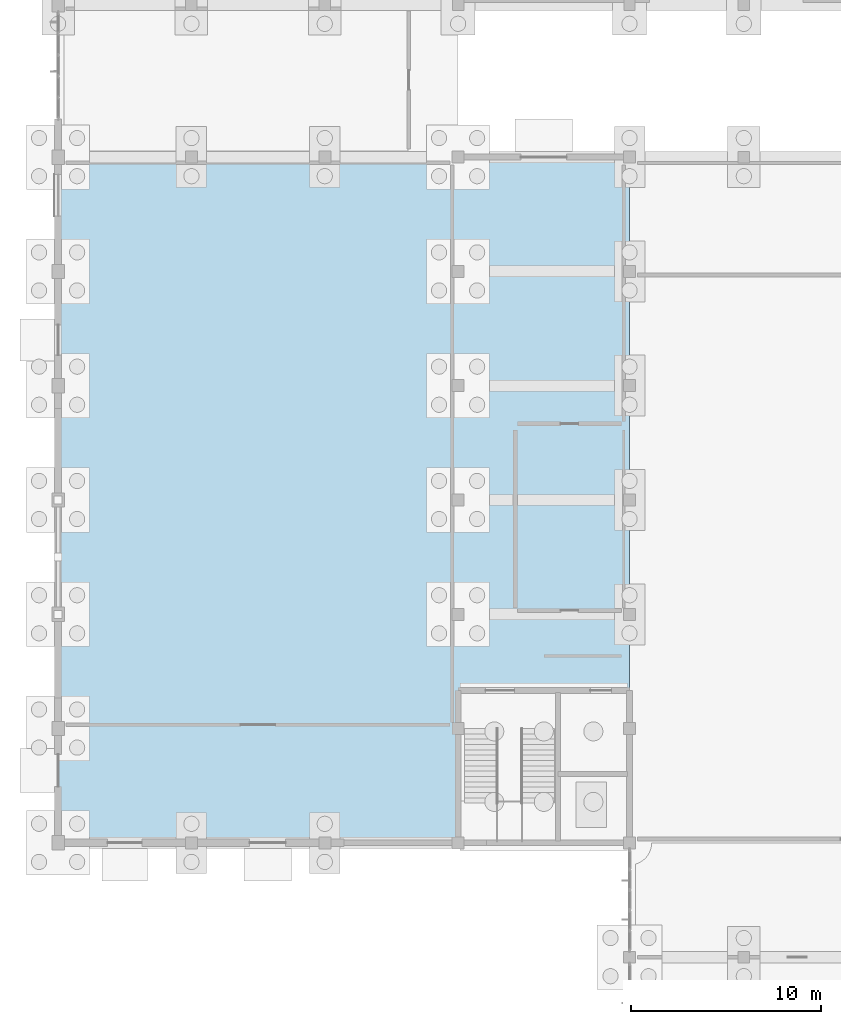
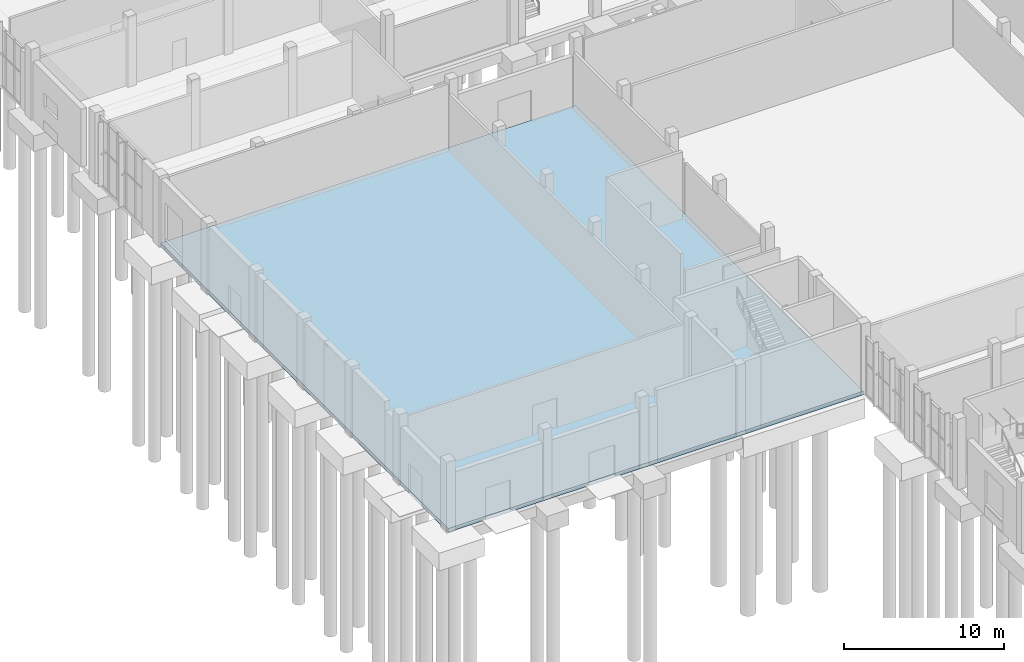
# One storey, part 30 of 69: 1 slab.
"""IFC4 building model written with IfcOpenShell, lengths in metres."""

from ifc_helpers import new_model, si_unit, direction, frame, origin, place, context, subcontext, project, spatial, polyline, outline, extrude, material, layer, layer_set, type_object, element, save


model = new_model("IFC4")

# Units and contexts
model_context = context("Model", 3, precision=1e-05, world=origin(), true_north=direction((0.0, 1.0)))
body_context = subcontext(model_context, "Body", "Model", "MODEL_VIEW")
ifc_project = project(units=[si_unit("LENGTHUNIT", "METRE"), si_unit("AREAUNIT", "SQUARE_METRE"), si_unit("VOLUMEUNIT", "CUBIC_METRE"), si_unit("PLANEANGLEUNIT", "RADIAN"), si_unit("MASSUNIT", "GRAM", prefix="KILO")], contexts=[model_context])

# Site, building, storey
site_placement = place(None, origin())
site = spatial("IfcSite", under=ifc_project, at=site_placement, CompositionType="ELEMENT")
building_placement = place(site_placement, origin())
building = spatial("IfcBuilding", under=site, at=building_placement, Name="Solvane Community Centre", CompositionType="ELEMENT")
storey_placement = place(building_placement, origin())
storey = spatial("IfcBuildingStorey", under=building, at=storey_placement, Name="L00", CompositionType="ELEMENT", Elevation=0.0)

# Slab
ifc_material = material(Name="Concrete C35/45", Category="concrete")
ifc_layer = layer(ifc_material, 0.280029296875)
ifc_layer_set = layer_set([ifc_layer], Name="Concrete C35/45")
slab_type = type_object("IfcSlabType", Name="RC Ground Base Slab 280mm [FP-L00-V2]", PredefinedType="BASESLAB", material=ifc_layer_set)
slab_placement = place(storey_placement, frame((0.0, 0.0, -0.280029296875)))
element("IfcSlab", 1, at=slab_placement, inside=storey, type_object=slab_type, Name="Floor Slab FP-L00-V2", PredefinedType="BASESLAB", context=body_context, shape_type="SweptSolid", body=[
    extrude(outline(polyline([(6.0, 42.0), (36.0, 42.0), (36.0, 78.0), (6.0, 78.0), (6.0, 42.0)])), origin(), (0.0, 0.0, 1.0), 0.280029296875),
])

save(model, "model.ifc")
